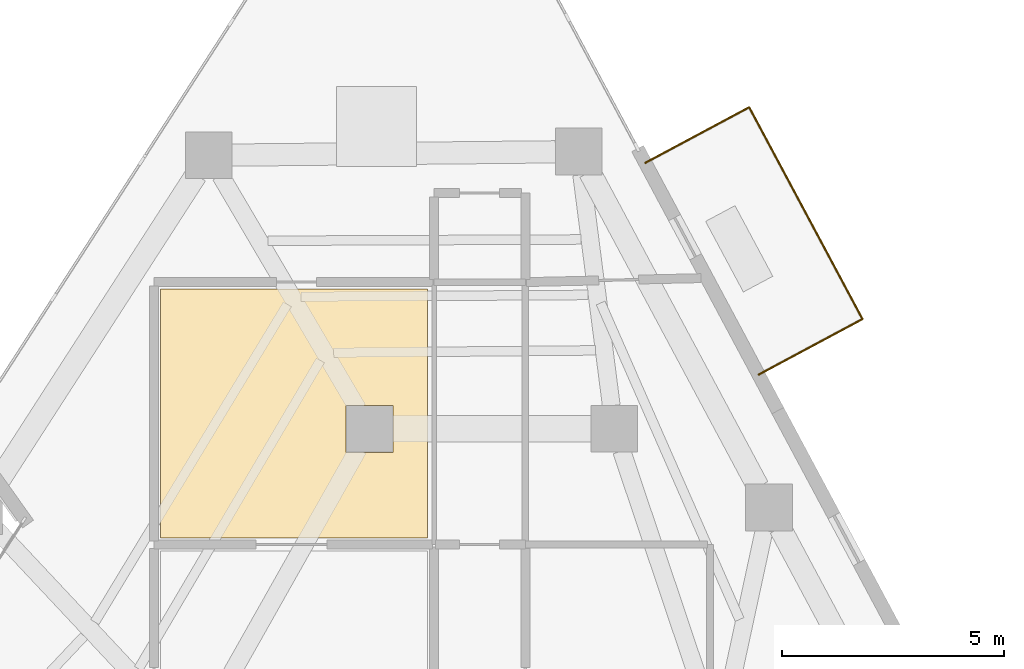
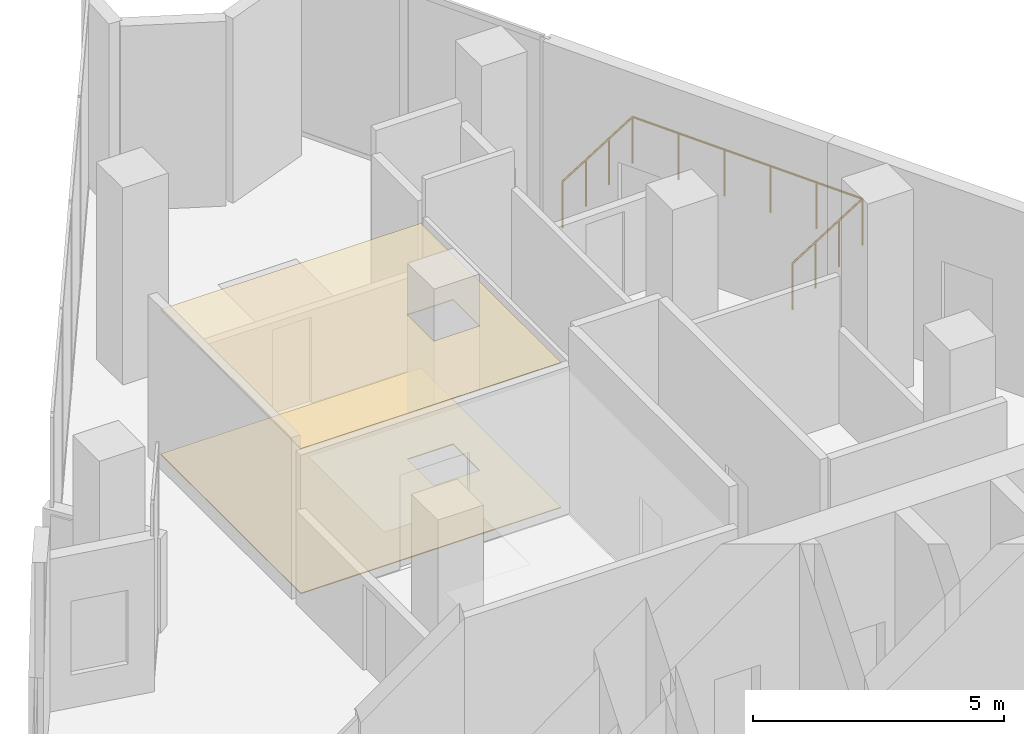
# One storey, part 10 of 10: 2 coverings, 1 railing.
"""IFC4 building model written with IfcOpenShell, lengths in metres."""

import ifcopenshell
import ifcopenshell.guid

model = None  # the IFC model being written
_history = None  # IfcOwnerHistory: only IFC2X3 demands one
_inside = {}  # id of a spatial element -> (the spatial element, [elements in it])
_under = {}  # id of a project, library or spatial element -> (it, [spatial elements below it])
_declared = {}  # id of a project -> (the project, [libraries it declares])
_typed = {}  # id of a type object -> (the type object, [elements of that type])
_made_of = {}  # id of a material, layer set ... -> (it, [elements and type objects made of it])


def new_model(schema):
    """Start an empty IFC model of exactly this schema.

    Asked for "IFC4X3", IfcOpenShell would pick the latest addendum, in which some entities
    have other attributes; the version numbers below select the first issue.
    IFC2X3 requires an IfcOwnerHistory on every rooted entity: one is made here for all.
    """
    global model, _history
    if schema == "IFC4X3":
        model = ifcopenshell.file(schema_version=(4, 3, 0, 0))
    else:
        model = ifcopenshell.file(schema=schema)
    _inside.clear()
    _under.clear()
    _declared.clear()
    _typed.clear()
    _made_of.clear()
    _history = None
    if model.schema == "IFC2X3":
        org = make("IfcOrganization", Name="unknown")
        user = make(
            "IfcPersonAndOrganization",
            ThePerson=make("IfcPerson", FamilyName="unknown"),
            TheOrganization=org,
        )
        app = make(
            "IfcApplication",
            ApplicationDeveloper=org,
            Version="unknown",
            ApplicationFullName="unknown",
            ApplicationIdentifier="unknown",
        )
        _history = make(
            "IfcOwnerHistory",
            OwningUser=user,
            OwningApplication=app,
            ChangeAction="ADDED",
            CreationDate=0,
        )
    return model


def make(cls, **values):
    """One entity of the class cls with the attributes given. An attribute that is None is left unset."""
    return model.create_entity(
        cls, **{name: value for name, value in values.items() if value is not None}
    )


def rooted(cls, **values):
    """An entity with a GlobalId (a new one), such as an element, a storey or a relation."""
    return make(cls, GlobalId=ifcopenshell.guid.new(), OwnerHistory=_history, **values)


def si_unit(unit_type, name, prefix=None):
    """IfcSIUnit, for example si_unit("LENGTHUNIT", "METRE", prefix="MILLI")."""
    return make("IfcSIUnit", UnitType=unit_type, Prefix=prefix, Name=name)


def assignment(units):
    """IfcUnitAssignment: the units of a project."""
    return None if units is None else make("IfcUnitAssignment", Units=units)


def point(xyz):
    """IfcCartesianPoint."""
    return None if xyz is None else make("IfcCartesianPoint", Coordinates=xyz)


def direction(xyz):
    """IfcDirection."""
    return None if xyz is None else make("IfcDirection", DirectionRatios=xyz)


def frame(location, z_axis=None, x_axis=None):
    """IfcAxis2Placement3D, a coordinate frame: its origin and axes. An axis left out is left unset."""
    return make(
        "IfcAxis2Placement3D",
        Location=point(location),
        Axis=direction(z_axis),
        RefDirection=direction(x_axis),
    )


def frame_2d(location, x_axis=None):
    """IfcAxis2Placement2D, a coordinate frame in the plane: its origin and x axis."""
    return make(
        "IfcAxis2Placement2D", Location=point(location), RefDirection=direction(x_axis)
    )


def origin():
    """The frame at (0, 0, 0) with its axes left unset."""
    return frame((0.0, 0.0, 0.0))


def origin_2d():
    """The frame at (0, 0) in the plane with its x axis left unset."""
    return frame_2d((0.0, 0.0))


def place(relative_to, where):
    """IfcLocalPlacement: puts the frame where relative to a parent placement (None: the world)."""
    return make(
        "IfcLocalPlacement", PlacementRelTo=relative_to, RelativePlacement=where
    )


def context(
    kind, dimensions, precision=None, world=None, true_north=None, identifier=None
):
    """IfcGeometricRepresentationContext, for example the 3D "Model" context."""
    return make(
        "IfcGeometricRepresentationContext",
        ContextIdentifier=identifier,
        ContextType=kind,
        CoordinateSpaceDimension=dimensions,
        Precision=precision,
        WorldCoordinateSystem=world,
        TrueNorth=true_north,
    )


def subcontext(parent, identifier, kind, view, scale=None):
    """IfcGeometricRepresentationSubContext, for example "Body" below "Model"."""
    return make(
        "IfcGeometricRepresentationSubContext",
        ContextIdentifier=identifier,
        ContextType=kind,
        ParentContext=parent,
        TargetScale=scale,
        TargetView=view,
    )


def project(units=None, contexts=None):
    """IfcProject with its units and contexts."""
    return rooted(
        "IfcProject",
        Name="project",
        RepresentationContexts=contexts,
        UnitsInContext=assignment(units),
    )


def spatial(cls, under=None, at=None, **own):
    """A site, building, storey or space (cls), placed at a placement, below another one or the project."""
    s = rooted(cls, ObjectPlacement=at, **own)
    if under is not None:
        _under.setdefault(under.id(), (under, []))[1].append(s)
    return s


def polyline(points):
    """IfcPolyline through the points."""
    return make("IfcPolyline", Points=[point(p) for p in points])


def profile(cls, at=None, kind="AREA", **sizes):
    """A parametric profile (cls). Its sizes go by their IFC names, for example OverallWidth=200.0."""
    return make(cls, ProfileType=kind, Position=at, **sizes)


def circle(**sizes):
    """IfcCircleProfileDef."""
    return profile("IfcCircleProfileDef", **sizes)


def outline(outer, holes=None, kind="AREA"):
    """IfcArbitraryClosedProfileDef: a profile drawn as a closed curve; with holes, ...WithVoids."""
    if holes is None:
        return make("IfcArbitraryClosedProfileDef", ProfileType=kind, OuterCurve=outer)
    return make(
        "IfcArbitraryProfileDefWithVoids",
        ProfileType=kind,
        OuterCurve=outer,
        InnerCurves=holes,
    )


def extrude(swept, where, along, depth):
    """IfcExtrudedAreaSolid: the profile swept, set in the frame where, extruded along a direction by depth."""
    return make(
        "IfcExtrudedAreaSolid",
        SweptArea=swept,
        Position=where,
        ExtrudedDirection=direction(along),
        Depth=depth,
    )


def shape(context_of_items, identifier, shape_type, items):
    """IfcShapeRepresentation: the items that make up one representation, for example the "Body"."""
    return make(
        "IfcShapeRepresentation",
        ContextOfItems=context_of_items,
        RepresentationIdentifier=identifier,
        RepresentationType=shape_type,
        Items=items,
    )


def material(Name=None, Category=None):
    """IfcMaterial."""
    return make("IfcMaterial", Name=Name, Category=Category)


def layer(
    of_material, thickness, ventilated=None, Name=None, Category=None, Priority=None
):
    """IfcMaterialLayer: one layer of a wall or slab, of a material (None: an air gap)."""
    return make(
        "IfcMaterialLayer",
        Material=of_material,
        LayerThickness=thickness,
        IsVentilated=ventilated,
        Name=Name,
        Category=Category,
        Priority=Priority,
    )


def layer_set(layers, Name=None):
    """IfcMaterialLayerSet."""
    return make("IfcMaterialLayerSet", MaterialLayers=layers, LayerSetName=Name)


def made_of(thing, what):
    """Note that an element or type object is made of a material, layer set ...; save() writes the relation."""
    if what is not None:
        _made_of.setdefault(what.id(), (what, []))[1].append(thing)
    return thing


def type_object(cls, material=None, **own):
    """A type object (cls), such as IfcWallType, which elements share."""
    return made_of(rooted(cls, **own), material)


def element(
    cls,
    number,
    at=None,
    inside=None,
    cuts=None,
    type_object=None,
    material=None,
    context=None,
    identifier="Body",
    shape_type=None,
    held_by="IfcProductDefinitionShape",
    body=None,
    shapes=None,
    **own,
):
    """One element of the class cls, such as IfcWall. Its Tag is "e" and its number.

    at: its placement. inside: the storey or other place that contains it. cuts: it is an
    opening in that element (IfcRelVoidsElement). A single representation is given by context,
    identifier, shape_type and body (its items); several are given by shapes. held_by: the class
    of the entity that holds the representations. save() writes the other relations.
    """
    e = rooted(cls, Tag="e%d" % number, ObjectPlacement=at, **own)
    if body is not None:
        shapes = [shape(context, identifier, shape_type, body)]
    if shapes is not None:
        e.Representation = make(held_by, Representations=shapes)
    if inside is not None:
        _inside.setdefault(inside.id(), (inside, []))[1].append(e)
    if cuts is not None:
        rooted(
            "IfcRelVoidsElement", RelatingBuildingElement=cuts, RelatedOpeningElement=e
        )
    if type_object is not None:
        _typed.setdefault(type_object.id(), (type_object, []))[1].append(e)
    return made_of(e, material)


def aggregate(whole, parts):
    """IfcRelAggregates: a whole, such as a stair, and the parts it consists of."""
    return rooted("IfcRelAggregates", RelatingObject=whole, RelatedObjects=parts)


def save(model, path):
    """Write the relations noted so far, then the file.

    IfcRelAggregates (storeys below a building ...), IfcRelContainedInSpatialStructure (elements
    in a storey), IfcRelDefinesByType, IfcRelAssociatesMaterial and IfcRelDeclares: one each for
    every whole, place, type object, material and project.
    """
    for whole, parts in _under.values():
        aggregate(whole, parts)
    for where, things in _inside.values():
        rooted(
            "IfcRelContainedInSpatialStructure",
            RelatedElements=things,
            RelatingStructure=where,
        )
    for kind, things in _typed.values():
        rooted("IfcRelDefinesByType", RelatedObjects=things, RelatingType=kind)
    for what, things in _made_of.values():
        rooted("IfcRelAssociatesMaterial", RelatedObjects=things, RelatingMaterial=what)
    for by, libraries in _declared.values():
        rooted("IfcRelDeclares", RelatingContext=by, RelatedDefinitions=libraries)
    model.write(path)


model = new_model("IFC4")

# Units and contexts
model_context = context("Model", 3, precision=1e-05, world=origin(), true_north=direction((0.0, 1.0)))
body_context = subcontext(model_context, "Body", "Model", "MODEL_VIEW")
ifc_project = project(units=[si_unit("LENGTHUNIT", "METRE"), si_unit("AREAUNIT", "SQUARE_METRE"), si_unit("VOLUMEUNIT", "CUBIC_METRE"), si_unit("PLANEANGLEUNIT", "RADIAN"), si_unit("MASSUNIT", "GRAM", prefix="KILO")], contexts=[model_context])

# Site, building, storey
site_placement = place(None, origin())
site = spatial("IfcSite", under=ifc_project, at=site_placement, CompositionType="ELEMENT")
building_placement = place(site_placement, origin())
building = spatial("IfcBuilding", under=site, at=building_placement, Name="Almagre Mirador Tower", CompositionType="ELEMENT")
storey_placement = place(building_placement, frame((0.0, 0.0, 196.800048828125)))
storey = spatial("IfcBuildingStorey", under=building, at=storey_placement, Name="L51", CompositionType="ELEMENT", Elevation=196.800048828125)

# Coverings
ifc_material_1 = material(Name="Slatted white oak acoustic ceiling", Category="wood")
ifc_layer_1 = layer(ifc_material_1, 0.02392578125)
ifc_layer_set_1 = layer_set([ifc_layer_1], Name="Slatted white oak acoustic ceiling")
covering_type_1 = type_object("IfcCoveringType", Name="COV-CEIL-WD-24", PredefinedType="CEILING", material=ifc_layer_set_1)
covering_1_placement = place(storey_placement, frame((0.0, 0.0, 3.52001953125)))
element("IfcCovering", 1, at=covering_1_placement, inside=storey, type_object=covering_type_1, Name="L51 L51 Sky Architecture Gallery acoustic suspended ceiling", PredefinedType="CEILING", context=body_context, shape_type="SweptSolid", body=[
    extrude(outline(polyline([(32.64990234375, 23.75), (32.64990234375, 29.35009765625), (38.64990234375, 29.35009765625), (38.64990234375, 23.75), (32.64990234375, 23.75)]), holes=[polyline([(36.820068359375, 25.669921875), (36.820068359375, 26.72998046875), (37.8798828125, 26.72998046875), (37.8798828125, 25.669921875), (36.820068359375, 25.669921875)])]), origin(), (0.0, 0.0, 1.0), 0.02392578125),
])
ifc_material_2 = material(Name="Honed basalt terrazzo flooring", Category="masonry")
ifc_layer_2 = layer(ifc_material_2, 0.02197265625)
ifc_layer_set_2 = layer_set([ifc_layer_2], Name="Honed basalt terrazzo flooring")
covering_type_2 = type_object("IfcCoveringType", Name="COV-FLR-TER-22", PredefinedType="FLOORING", material=ifc_layer_set_2)
covering_2_placement = place(storey_placement, origin())
element("IfcCovering", 2, at=covering_2_placement, inside=storey, type_object=covering_type_2, Name="L51 L51 Sky Architecture Gallery finish flooring", PredefinedType="FLOORING", context=body_context, shape_type="SweptSolid", body=[
    extrude(outline(polyline([(32.64990234375, 23.75), (32.64990234375, 29.35009765625), (38.64990234375, 29.35009765625), (38.64990234375, 23.75), (32.64990234375, 23.75)]), holes=[polyline([(36.820068359375, 25.669921875), (36.820068359375, 26.72998046875), (37.8798828125, 26.72998046875), (37.8798828125, 25.669921875), (36.820068359375, 25.669921875)])]), origin(), (0.0, 0.0, 1.0), 0.02197265625),
])

# Railing
ifc_material_3 = material(Name="Black anodized aluminium", Category="aluminium")
railing_type = type_object("IfcRailingType", Name="RLG-BAL-1150", PredefinedType="BALUSTRADE", material=ifc_material_3)
railing_placement = place(storey_placement, frame((46.093994140625, 27.4189453125, 0.0)))
element("IfcRailing", 3, at=railing_placement, inside=storey, type_object=railing_type, Name="L51 east balcony balustrade 1", PredefinedType="BALUSTRADE", context=body_context, shape_type="SweptSolid", body=[
    extrude(circle(Radius=0.02392578125, at=origin_2d()), frame((0.0, 0.0, 1.1259765625), z_axis=(0.88169906434, 0.471812208343, 0.0), x_axis=(-0.471812208343, 0.88169906434, 0.0)), (0.0, 0.0, 1.0), 2.6494140625),
    extrude(circle(Radius=0.02392578125, at=origin_2d()), frame((2.3359375, 1.25, 1.1259765625), z_axis=(-0.471620367983, 0.881801694546, 0.0), x_axis=(-0.881801694546, -0.471620367983, 0.0)), (0.0, 0.0, 1.0), 5.400146484375),
    extrude(circle(Radius=0.02392578125, at=origin_2d()), frame((-0.2109375, 6.011962890625, 1.1259765625), z_axis=(-0.88180156885, -0.471620602999, 0.0), x_axis=(0.471620602999, -0.88180156885, 0.0)), (0.0, 0.0, 1.0), 2.650390625),
    extrude(circle(Radius=0.02099609375, at=origin_2d()), origin(), (0.0, 0.0, 1.0), 1.101806640625),
    extrude(circle(Radius=0.02099609375, at=origin_2d()), frame((0.778564453125, 0.416748046875, 0.0)), (0.0, 0.0, 1.0), 1.101806640625),
    extrude(circle(Radius=0.02099609375, at=origin_2d()), frame((1.557373046875, 0.833251953125, 0.0)), (0.0, 0.0, 1.0), 1.101806640625),
    extrude(circle(Radius=0.02099609375, at=origin_2d()), frame((2.3359375, 1.25, 0.0)), (0.0, 0.0, 1.0), 1.101806640625),
    extrude(circle(Radius=0.02099609375, at=origin_2d()), frame((1.82666015625, 2.202392578125, 0.0)), (0.0, 0.0, 1.0), 1.101806640625),
    extrude(circle(Radius=0.02099609375, at=origin_2d()), frame((1.317138671875, 3.15478515625, 0.0)), (0.0, 0.0, 1.0), 1.101806640625),
    extrude(circle(Radius=0.02099609375, at=origin_2d()), frame((0.807861328125, 4.107177734375, 0.0)), (0.0, 0.0, 1.0), 1.101806640625),
    extrude(circle(Radius=0.02099609375, at=origin_2d()), frame((0.29833984375, 5.0595703125, 0.0)), (0.0, 0.0, 1.0), 1.101806640625),
    extrude(circle(Radius=0.02099609375, at=origin_2d()), frame((-0.2109375, 6.011962890625, 0.0)), (0.0, 0.0, 1.0), 1.101806640625),
    extrude(circle(Radius=0.02099609375, at=origin_2d()), frame((-0.989990234375, 5.59521484375, 0.0)), (0.0, 0.0, 1.0), 1.101806640625),
    extrude(circle(Radius=0.02099609375, at=origin_2d()), frame((-1.76904296875, 5.1787109375, 0.0)), (0.0, 0.0, 1.0), 1.101806640625),
    extrude(circle(Radius=0.02099609375, at=origin_2d()), frame((-2.548095703125, 4.761962890625, 0.0)), (0.0, 0.0, 1.0), 1.101806640625),
])

save(model, "model.ifc")
